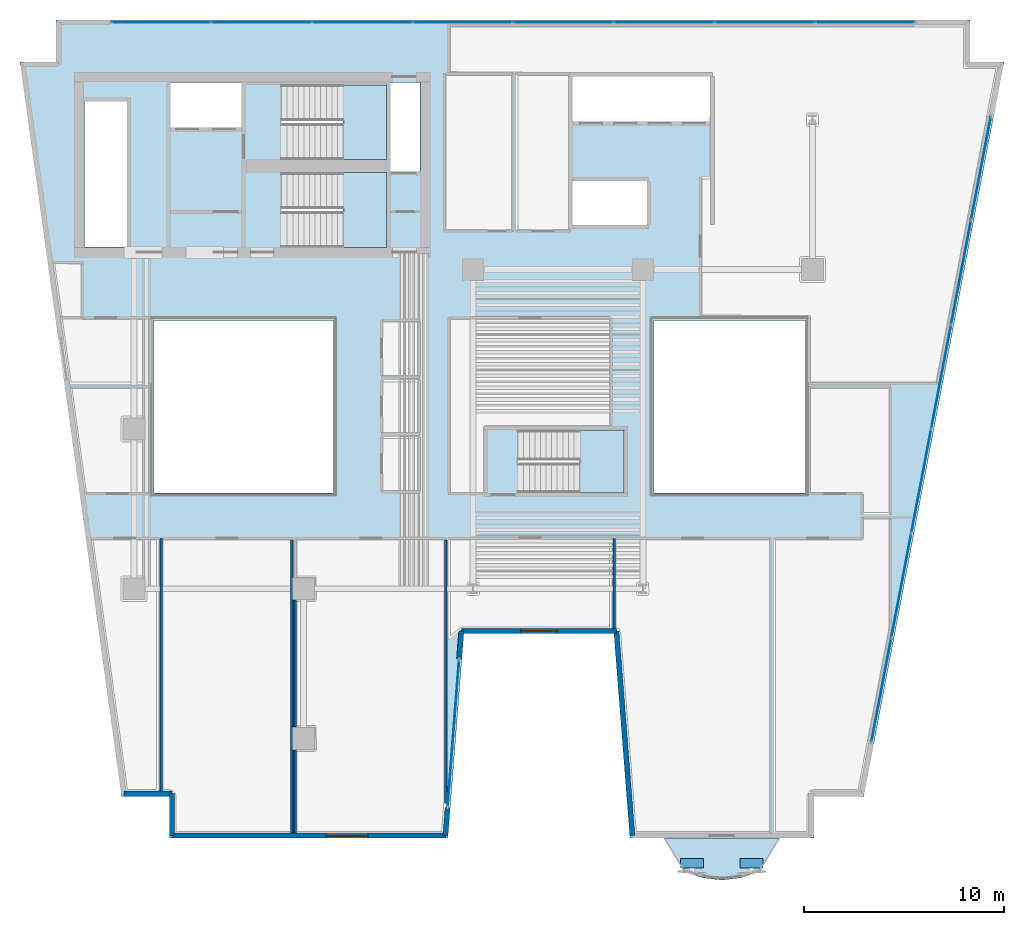
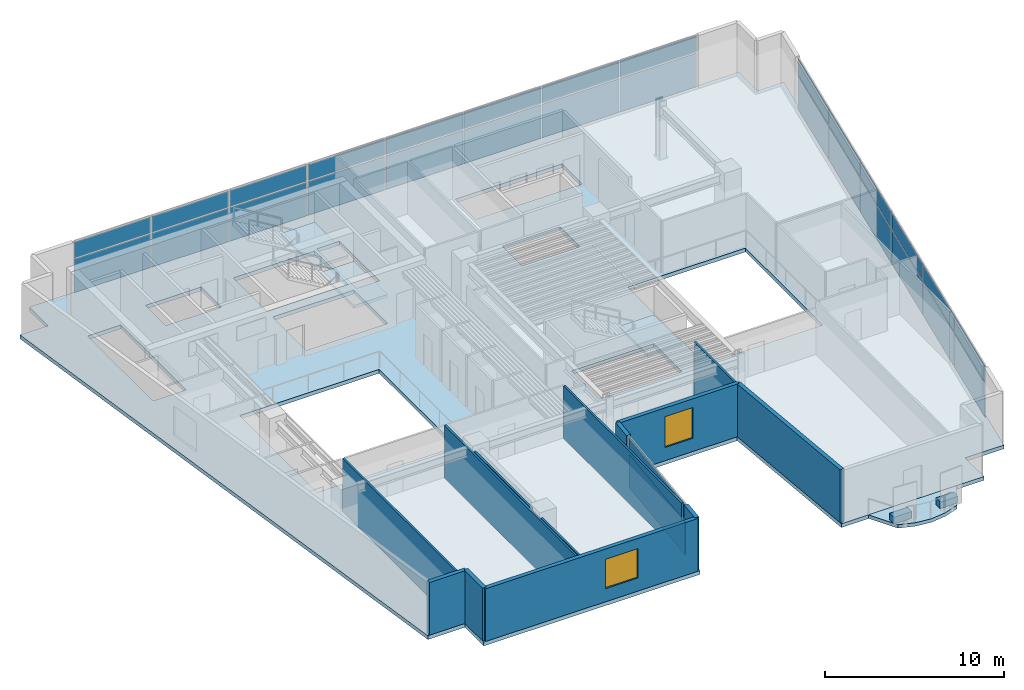
# One storey, part 6 of 14: 32 plates, 13 walls, 5 slabs, 2 windows, 2 openings, 6 elements without a shape of their own.
"""IFC4 building model written with IfcOpenShell, lengths in metres."""

from ifc_helpers import new_model, si_unit, direction, frame, frame_2d, origin, origin_2d, place, context, subcontext, project, spatial, polyline, rectangle, outline, extrude, material, layer, layer_set, type_object, element, fill, aggregate, save


model = new_model("IFC4")

# Units and contexts
model_context = context("Model", 3, precision=1e-05, world=origin(), true_north=direction((0.0, 1.0)))
body_context = subcontext(model_context, "Body", "Model", "MODEL_VIEW")
ifc_project = project(units=[si_unit("LENGTHUNIT", "METRE"), si_unit("AREAUNIT", "SQUARE_METRE"), si_unit("VOLUMEUNIT", "CUBIC_METRE"), si_unit("PLANEANGLEUNIT", "RADIAN"), si_unit("MASSUNIT", "GRAM", prefix="KILO")], contexts=[model_context])

# Site, building, storey
site_placement = place(None, origin())
site = spatial("IfcSite", under=ifc_project, at=site_placement, CompositionType="ELEMENT")
building_placement = place(site_placement, origin())
building = spatial("IfcBuilding", under=site, at=building_placement, Name="Caeloran Harvest Quay", CompositionType="ELEMENT")
storey_placement = place(building_placement, frame((0.0, 0.0, 174.60009765625)))
storey = spatial("IfcBuildingStorey", under=building, at=storey_placement, Name="L41", CompositionType="ELEMENT", Elevation=174.60009765625)

# Slab
ifc_material_1 = material(Name="Concrete C50/60", Category="concrete")
ifc_layer_1 = layer(ifc_material_1, 0.239990234375, Name="Concrete C50/60")
ifc_layer_set_1 = layer_set([ifc_layer_1], Name="Concrete C50/60")
slab_type_1 = type_object("IfcSlabType", Name="BALCONY-BL-240", PredefinedType="FLOOR", material=ifc_layer_set_1)
slab_1_placement = place(storey_placement, frame((0.0, 0.0, -0.239990234375)))
element("IfcSlab", 1, at=slab_1_placement, inside=storey, type_object=slab_type_1, Name="L41 Scalloped Cantilevered Planted Balcony Slab", PredefinedType="FLOOR", context=body_context, shape_type="SweptSolid", body=[
    extrude(outline(polyline([(39.869873046875, 0.839599609375), (38.913818359375, 0.51708984375), (37.95751953125, 0.39892578125), (37.001220703125, 0.51708984375), (36.045166015625, 0.839599609375), (35.100341796875, 2.5), (40.814697265625, 2.5), (39.869873046875, 0.839599609375)])), origin(), (0.0, 0.0, 1.0), 0.239990234375),
])

# Curtain wall, plates
ifc_material_2 = material(Name="Aluminium 6063-T6 and Low-E Glazing", Category="aluminium")
ifc_layer_2 = layer(ifc_material_2, 0.22998046875, Name="Aluminium 6063-T6 and Low-E Glazing")
ifc_layer_set_2 = layer_set([ifc_layer_2], Name="Aluminium 6063-T6 and Low-E Glazing")
curtain_wall_type = type_object("IfcCurtainWallType", Name="CW-SYS-CW-6", PredefinedType="USERDEFINED", material=ifc_layer_set_2)
curtain_wall_1_placement = place(storey_placement, origin())
curtain_wall_1 = element("IfcCurtainWall", 2, at=curtain_wall_1_placement, inside=storey, type_object=curtain_wall_type, Name="L41 Unitised Curtain Wall CW-6 Run 6", ObjectType="CURTAIN_WALL", PredefinedType="USERDEFINED")
ifc_material_3 = material(Name="Low-E Double Glazed Vision Glass Unit", Category="glass")
ifc_layer_3 = layer(ifc_material_3, 0.035888671875, Name="Low-E Double Glazed Vision Glass Unit")
ifc_layer_set_3 = layer_set([ifc_layer_3], Name="Low-E Double Glazed Vision Glass Unit")
plate_type_1 = type_object("IfcPlateType", Name="CW-VISION-PANEL", PredefinedType="CURTAIN_PANEL", material=ifc_layer_set_3)
plate_1_placement = place(storey_placement, frame((9.871337890625, 43.3701171875, 0.080078125), z_axis=(0.0, 0.0, 1.0), x_axis=(1.0, 0.0, 0.0)))
plate_1 = element("IfcPlate", 3, at=plate_1_placement, type_object=plate_type_1, Name="CW-6 panel 1.1", PredefinedType="CURTAIN_PANEL", context=body_context, shape_type="SweptSolid", body=[
    extrude(rectangle(XDim=4.922607421875, YDim=0.035888671875, at=origin_2d()), origin(), (0.0, 0.0, 1.0), 2.280029296875),
])
plate_2_placement = place(storey_placement, frame((9.871337890625, 43.3701171875, 2.43994140625), z_axis=(0.0, 0.0, 1.0), x_axis=(1.0, 0.0, 0.0)))
plate_2 = element("IfcPlate", 4, at=plate_2_placement, type_object=plate_type_1, Name="CW-6 panel 1.2", PredefinedType="CURTAIN_PANEL", context=body_context, shape_type="SweptSolid", body=[
    extrude(rectangle(XDim=4.922607421875, YDim=0.035888671875, at=origin_2d()), origin(), (0.0, 0.0, 1.0), 1.080078125),
])
plate_3_placement = place(storey_placement, frame((14.893798828125, 43.3701171875, 0.080078125), z_axis=(0.0, 0.0, 1.0), x_axis=(1.0, 0.0, 0.0)))
plate_3 = element("IfcPlate", 5, at=plate_3_placement, type_object=plate_type_1, Name="CW-6 panel 2.1", PredefinedType="CURTAIN_PANEL", context=body_context, shape_type="SweptSolid", body=[
    extrude(rectangle(XDim=4.96240234375, YDim=0.035888671875, at=origin_2d()), origin(), (0.0, 0.0, 1.0), 2.280029296875),
])
plate_4_placement = place(storey_placement, frame((14.893798828125, 43.3701171875, 2.43994140625), z_axis=(0.0, 0.0, 1.0), x_axis=(1.0, 0.0, 0.0)))
plate_4 = element("IfcPlate", 6, at=plate_4_placement, type_object=plate_type_1, Name="CW-6 panel 2.2", PredefinedType="CURTAIN_PANEL", context=body_context, shape_type="SweptSolid", body=[
    extrude(rectangle(XDim=4.96240234375, YDim=0.035888671875, at=origin_2d()), origin(), (0.0, 0.0, 1.0), 1.080078125),
])
plate_5_placement = place(storey_placement, frame((19.936279296875, 43.3701171875, 0.080078125), z_axis=(0.0, 0.0, 1.0), x_axis=(1.0, 0.0, 0.0)))
plate_5 = element("IfcPlate", 7, at=plate_5_placement, type_object=plate_type_1, Name="CW-6 panel 3.1", PredefinedType="CURTAIN_PANEL", context=body_context, shape_type="SweptSolid", body=[
    extrude(rectangle(XDim=4.96240234375, YDim=0.035888671875, at=origin_2d()), origin(), (0.0, 0.0, 1.0), 2.280029296875),
])
plate_6_placement = place(storey_placement, frame((19.936279296875, 43.3701171875, 2.43994140625), z_axis=(0.0, 0.0, 1.0), x_axis=(1.0, 0.0, 0.0)))
plate_6 = element("IfcPlate", 8, at=plate_6_placement, type_object=plate_type_1, Name="CW-6 panel 3.2", PredefinedType="CURTAIN_PANEL", context=body_context, shape_type="SweptSolid", body=[
    extrude(rectangle(XDim=4.96240234375, YDim=0.035888671875, at=origin_2d()), origin(), (0.0, 0.0, 1.0), 1.080078125),
])
plate_7_placement = place(storey_placement, frame((24.978759765625, 43.3701171875, 0.080078125), z_axis=(0.0, 0.0, 1.0), x_axis=(1.0, 0.0, 0.0)))
plate_7 = element("IfcPlate", 9, at=plate_7_placement, type_object=plate_type_1, Name="CW-6 panel 4.1", PredefinedType="CURTAIN_PANEL", context=body_context, shape_type="SweptSolid", body=[
    extrude(rectangle(XDim=4.96240234375, YDim=0.035888671875, at=origin_2d()), origin(), (0.0, 0.0, 1.0), 2.280029296875),
])
plate_8_placement = place(storey_placement, frame((24.978759765625, 43.3701171875, 2.43994140625), z_axis=(0.0, 0.0, 1.0), x_axis=(1.0, 0.0, 0.0)))
plate_8 = element("IfcPlate", 10, at=plate_8_placement, type_object=plate_type_1, Name="CW-6 panel 4.2", PredefinedType="CURTAIN_PANEL", context=body_context, shape_type="SweptSolid", body=[
    extrude(rectangle(XDim=4.96240234375, YDim=0.035888671875, at=origin_2d()), origin(), (0.0, 0.0, 1.0), 1.080078125),
])
plate_9_placement = place(storey_placement, frame((30.021240234375, 43.3701171875, 0.080078125), z_axis=(0.0, 0.0, 1.0), x_axis=(1.0, 0.0, 0.0)))
plate_9 = element("IfcPlate", 11, at=plate_9_placement, type_object=plate_type_1, Name="CW-6 panel 5.1", PredefinedType="CURTAIN_PANEL", context=body_context, shape_type="SweptSolid", body=[
    extrude(rectangle(XDim=4.96240234375, YDim=0.035888671875, at=origin_2d()), origin(), (0.0, 0.0, 1.0), 2.280029296875),
])
plate_10_placement = place(storey_placement, frame((30.021240234375, 43.3701171875, 2.43994140625), z_axis=(0.0, 0.0, 1.0), x_axis=(1.0, 0.0, 0.0)))
plate_10 = element("IfcPlate", 12, at=plate_10_placement, type_object=plate_type_1, Name="CW-6 panel 5.2", PredefinedType="CURTAIN_PANEL", context=body_context, shape_type="SweptSolid", body=[
    extrude(rectangle(XDim=4.96240234375, YDim=0.035888671875, at=origin_2d()), origin(), (0.0, 0.0, 1.0), 1.080078125),
])
plate_11_placement = place(storey_placement, frame((35.063720703125, 43.3701171875, 0.080078125), z_axis=(0.0, 0.0, 1.0), x_axis=(1.0, 0.0, 0.0)))
plate_11 = element("IfcPlate", 13, at=plate_11_placement, type_object=plate_type_1, Name="CW-6 panel 6.1", PredefinedType="CURTAIN_PANEL", context=body_context, shape_type="SweptSolid", body=[
    extrude(rectangle(XDim=4.96240234375, YDim=0.035888671875, at=origin_2d()), origin(), (0.0, 0.0, 1.0), 2.280029296875),
])
plate_12_placement = place(storey_placement, frame((35.063720703125, 43.3701171875, 2.43994140625), z_axis=(0.0, 0.0, 1.0), x_axis=(1.0, 0.0, 0.0)))
plate_12 = element("IfcPlate", 14, at=plate_12_placement, type_object=plate_type_1, Name="CW-6 panel 6.2", PredefinedType="CURTAIN_PANEL", context=body_context, shape_type="SweptSolid", body=[
    extrude(rectangle(XDim=4.96240234375, YDim=0.035888671875, at=origin_2d()), origin(), (0.0, 0.0, 1.0), 1.080078125),
])
plate_13_placement = place(storey_placement, frame((40.106201171875, 43.3701171875, 0.080078125), z_axis=(0.0, 0.0, 1.0), x_axis=(1.0, 0.0, 0.0)))
plate_13 = element("IfcPlate", 15, at=plate_13_placement, type_object=plate_type_1, Name="CW-6 panel 7.1", PredefinedType="CURTAIN_PANEL", context=body_context, shape_type="SweptSolid", body=[
    extrude(rectangle(XDim=4.96240234375, YDim=0.035888671875, at=origin_2d()), origin(), (0.0, 0.0, 1.0), 2.280029296875),
])
plate_14_placement = place(storey_placement, frame((40.106201171875, 43.3701171875, 2.43994140625), z_axis=(0.0, 0.0, 1.0), x_axis=(1.0, 0.0, 0.0)))
plate_14 = element("IfcPlate", 16, at=plate_14_placement, type_object=plate_type_1, Name="CW-6 panel 7.2", PredefinedType="CURTAIN_PANEL", context=body_context, shape_type="SweptSolid", body=[
    extrude(rectangle(XDim=4.96240234375, YDim=0.035888671875, at=origin_2d()), origin(), (0.0, 0.0, 1.0), 1.080078125),
])
plate_15_placement = place(storey_placement, frame((45.128662109375, 43.3701171875, 0.080078125), z_axis=(0.0, 0.0, 1.0), x_axis=(1.0, 0.0, 0.0)))
plate_15 = element("IfcPlate", 17, at=plate_15_placement, type_object=plate_type_1, Name="CW-6 panel 8.1", PredefinedType="CURTAIN_PANEL", context=body_context, shape_type="SweptSolid", body=[
    extrude(rectangle(XDim=4.922607421875, YDim=0.035888671875, at=origin_2d()), origin(), (0.0, 0.0, 1.0), 2.280029296875),
])
plate_16_placement = place(storey_placement, frame((45.128662109375, 43.3701171875, 2.43994140625), z_axis=(0.0, 0.0, 1.0), x_axis=(1.0, 0.0, 0.0)))
plate_16 = element("IfcPlate", 18, at=plate_16_placement, type_object=plate_type_1, Name="CW-6 panel 8.2", PredefinedType="CURTAIN_PANEL", context=body_context, shape_type="SweptSolid", body=[
    extrude(rectangle(XDim=4.922607421875, YDim=0.035888671875, at=origin_2d()), origin(), (0.0, 0.0, 1.0), 1.080078125),
])
aggregate(curtain_wall_1, [plate_1, plate_2, plate_3, plate_4, plate_5, plate_6, plate_7, plate_8, plate_9, plate_10, plate_11, plate_12, plate_13, plate_14, plate_15, plate_16])

curtain_wall_2_placement = place(storey_placement, origin())
curtain_wall_2 = element("IfcCurtainWall", 19, at=curtain_wall_2_placement, inside=storey, type_object=curtain_wall_type, Name="L41 Unitised Curtain Wall CW-6 Run 9", ObjectType="CURTAIN_WALL", PredefinedType="USERDEFINED")
plate_17_placement = place(storey_placement, frame((50.9501953125, 36.0771484375, 0.080078125), z_axis=(0.0, 0.0, 1.0), x_axis=(-0.187587824188, -0.982247834417, 0.0)))
plate_17 = element("IfcPlate", 20, at=plate_17_placement, type_object=plate_type_1, Name="CW-6 panel 1.1", PredefinedType="CURTAIN_PANEL", context=body_context, shape_type="SweptSolid", body=[
    extrude(rectangle(XDim=5.21337890625, YDim=0.035888671875, at=origin_2d()), origin(), (0.0, 0.0, 1.0), 2.280029296875),
])
plate_18_placement = place(storey_placement, frame((50.9501953125, 36.0771484375, 2.43994140625), z_axis=(0.0, 0.0, 1.0), x_axis=(-0.187587824188, -0.982247834417, 0.0)))
plate_18 = element("IfcPlate", 21, at=plate_18_placement, type_object=plate_type_1, Name="CW-6 panel 1.2", PredefinedType="CURTAIN_PANEL", context=body_context, shape_type="SweptSolid", body=[
    extrude(rectangle(XDim=5.21337890625, YDim=0.035888671875, at=origin_2d()), origin(), (0.0, 0.0, 1.0), 1.080078125),
])
plate_19_placement = place(storey_placement, frame((49.953369140625, 30.858154296875, 0.080078125), z_axis=(0.0, 0.0, 1.0), x_axis=(-0.187587824188, -0.982247834417, 0.0)))
plate_19 = element("IfcPlate", 22, at=plate_19_placement, type_object=plate_type_1, Name="CW-6 panel 2.1", PredefinedType="CURTAIN_PANEL", context=body_context, shape_type="SweptSolid", body=[
    extrude(rectangle(XDim=5.25341796875, YDim=0.035888671875, at=origin_2d()), origin(), (0.0, 0.0, 1.0), 2.280029296875),
])
plate_20_placement = place(storey_placement, frame((49.953369140625, 30.858154296875, 2.43994140625), z_axis=(0.0, 0.0, 1.0), x_axis=(-0.187587824188, -0.982247834417, 0.0)))
plate_20 = element("IfcPlate", 23, at=plate_20_placement, type_object=plate_type_1, Name="CW-6 panel 2.2", PredefinedType="CURTAIN_PANEL", context=body_context, shape_type="SweptSolid", body=[
    extrude(rectangle(XDim=5.25341796875, YDim=0.035888671875, at=origin_2d()), origin(), (0.0, 0.0, 1.0), 1.080078125),
])
plate_21_placement = place(storey_placement, frame((48.952880859375, 25.619384765625, 0.080078125), z_axis=(0.0, 0.0, 1.0), x_axis=(-0.187587824188, -0.982247834417, 0.0)))
plate_21 = element("IfcPlate", 24, at=plate_21_placement, type_object=plate_type_1, Name="CW-6 panel 3.1", PredefinedType="CURTAIN_PANEL", context=body_context, shape_type="SweptSolid", body=[
    extrude(rectangle(XDim=5.25341796875, YDim=0.035888671875, at=origin_2d()), origin(), (0.0, 0.0, 1.0), 2.280029296875),
])
plate_22_placement = place(storey_placement, frame((48.952880859375, 25.619384765625, 2.43994140625), z_axis=(0.0, 0.0, 1.0), x_axis=(-0.187587824188, -0.982247834417, 0.0)))
plate_22 = element("IfcPlate", 25, at=plate_22_placement, type_object=plate_type_1, Name="CW-6 panel 3.2", PredefinedType="CURTAIN_PANEL", context=body_context, shape_type="SweptSolid", body=[
    extrude(rectangle(XDim=5.25341796875, YDim=0.035888671875, at=origin_2d()), origin(), (0.0, 0.0, 1.0), 1.080078125),
])
plate_23_placement = place(storey_placement, frame((47.952392578125, 20.380615234375, 0.080078125), z_axis=(0.0, 0.0, 1.0), x_axis=(-0.187587824188, -0.982247834417, 0.0)))
plate_23 = element("IfcPlate", 26, at=plate_23_placement, type_object=plate_type_1, Name="CW-6 panel 4.1", PredefinedType="CURTAIN_PANEL", context=body_context, shape_type="SweptSolid", body=[
    extrude(rectangle(XDim=5.25341796875, YDim=0.035888671875, at=origin_2d()), origin(), (0.0, 0.0, 1.0), 2.280029296875),
])
plate_24_placement = place(storey_placement, frame((47.952392578125, 20.380615234375, 2.43994140625), z_axis=(0.0, 0.0, 1.0), x_axis=(-0.187587824188, -0.982247834417, 0.0)))
plate_24 = element("IfcPlate", 27, at=plate_24_placement, type_object=plate_type_1, Name="CW-6 panel 4.2", PredefinedType="CURTAIN_PANEL", context=body_context, shape_type="SweptSolid", body=[
    extrude(rectangle(XDim=5.25341796875, YDim=0.035888671875, at=origin_2d()), origin(), (0.0, 0.0, 1.0), 1.080078125),
])
plate_25_placement = place(storey_placement, frame((46.951904296875, 15.141845703125, 0.080078125), z_axis=(0.0, 0.0, 1.0), x_axis=(-0.187587824188, -0.982247834417, 0.0)))
plate_25 = element("IfcPlate", 28, at=plate_25_placement, type_object=plate_type_1, Name="CW-6 panel 5.1", PredefinedType="CURTAIN_PANEL", context=body_context, shape_type="SweptSolid", body=[
    extrude(rectangle(XDim=5.25341796875, YDim=0.035888671875, at=origin_2d()), origin(), (0.0, 0.0, 1.0), 2.280029296875),
])
plate_26_placement = place(storey_placement, frame((46.951904296875, 15.141845703125, 2.43994140625), z_axis=(0.0, 0.0, 1.0), x_axis=(-0.187587824188, -0.982247834417, 0.0)))
plate_26 = element("IfcPlate", 29, at=plate_26_placement, type_object=plate_type_1, Name="CW-6 panel 5.2", PredefinedType="CURTAIN_PANEL", context=body_context, shape_type="SweptSolid", body=[
    extrude(rectangle(XDim=5.25341796875, YDim=0.035888671875, at=origin_2d()), origin(), (0.0, 0.0, 1.0), 1.080078125),
])
plate_27_placement = place(storey_placement, frame((45.955078125, 9.9228515625, 0.080078125), z_axis=(0.0, 0.0, 1.0), x_axis=(-0.187587824188, -0.982247834417, 0.0)))
plate_27 = element("IfcPlate", 30, at=plate_27_placement, type_object=plate_type_1, Name="CW-6 panel 6.1", PredefinedType="CURTAIN_PANEL", context=body_context, shape_type="SweptSolid", body=[
    extrude(rectangle(XDim=5.21337890625, YDim=0.035888671875, at=origin_2d()), origin(), (0.0, 0.0, 1.0), 2.280029296875),
])
plate_28_placement = place(storey_placement, frame((45.955078125, 9.9228515625, 2.43994140625), z_axis=(0.0, 0.0, 1.0), x_axis=(-0.187587824188, -0.982247834417, 0.0)))
plate_28 = element("IfcPlate", 31, at=plate_28_placement, type_object=plate_type_1, Name="CW-6 panel 6.2", PredefinedType="CURTAIN_PANEL", context=body_context, shape_type="SweptSolid", body=[
    extrude(rectangle(XDim=5.21337890625, YDim=0.035888671875, at=origin_2d()), origin(), (0.0, 0.0, 1.0), 1.080078125),
])
aggregate(curtain_wall_2, [plate_17, plate_18, plate_19, plate_20, plate_21, plate_22, plate_23, plate_24, plate_25, plate_26, plate_27, plate_28])

curtain_wall_3_placement = place(storey_placement, origin())
curtain_wall_3 = element("IfcCurtainWall", 32, at=curtain_wall_3_placement, inside=storey, type_object=curtain_wall_type, Name="L41 Unitised Curtain Wall CW-6 Run 15", ObjectType="CURTAIN_WALL", PredefinedType="USERDEFINED")
plate_29_placement = place(storey_placement, frame((24.509765625, 7.7548828125, 0.080078125), z_axis=(0.0, 0.0, 1.0), x_axis=(-0.077821861046, -0.996967280277, 0.0)))
plate_29 = element("IfcPlate", 33, at=plate_29_placement, type_object=plate_type_1, Name="CW-6 panel 1.1", PredefinedType="CURTAIN_PANEL", context=body_context, shape_type="SweptSolid", body=[
    extrude(rectangle(XDim=7.3212890625, YDim=0.035888671875, at=origin_2d()), origin(), (0.0, 0.0, 1.0), 2.280029296875),
])
plate_30_placement = place(storey_placement, frame((24.509765625, 7.7548828125, 2.43994140625), z_axis=(0.0, 0.0, 1.0), x_axis=(-0.077821861046, -0.996967280277, 0.0)))
plate_30 = element("IfcPlate", 34, at=plate_30_placement, type_object=plate_type_1, Name="CW-6 panel 1.2", PredefinedType="CURTAIN_PANEL", context=body_context, shape_type="SweptSolid", body=[
    extrude(rectangle(XDim=7.3212890625, YDim=0.035888671875, at=origin_2d()), origin(), (0.0, 0.0, 1.0), 1.080078125),
])
aggregate(curtain_wall_3, [plate_29, plate_30])

# Plates
ifc_material_4 = material(Name="Precast concrete C50/60", Category="concrete")
ifc_layer_4 = layer(ifc_material_4, 0.449951171875, Name="Precast concrete C50/60")
ifc_layer_set_4 = layer_set([ifc_layer_4], Name="Precast concrete C50/60")
plate_type_2 = type_object("IfcPlateType", Name="PLANTER-TROUGH-450", PredefinedType="USERDEFINED", material=ifc_layer_set_4)
for number, where, z_axis, x_axis, name in (
    (35, (39.44921875, 1.246826171875, 0.0), (0.0, 0.0, 1.0), (1.0, 0.0, 0.0), "L41 Balcony Vertical-Greenery Precast PLANTER Trough 1"),
    (36, (36.4658203125, 1.246826171875, 0.0), (0.0, 0.0, 1.0), (1.0, 0.0, 0.0), "L41 Balcony Vertical-Greenery Precast PLANTER Trough 2"),
):
    element("IfcPlate", number, at=place(storey_placement, frame(where, z_axis=z_axis, x_axis=x_axis)), inside=storey, type_object=plate_type_2, Name=name, ObjectType="PLANTER", PredefinedType="USERDEFINED", context=body_context, shape_type="SweptSolid", body=[
        extrude(rectangle(XDim=1.14990234375, YDim=0.47998046875, at=origin_2d()), origin(), (0.0, 0.0, 1.0), 0.449951171875),
    ])

# Slab
ifc_layer_5 = layer(ifc_material_1, 0.260009765625, Name="Concrete C50/60")
ifc_layer_set_5 = layer_set([ifc_layer_5], Name="Concrete C50/60")
slab_type_2 = type_object("IfcSlabType", Name="SLAB-FS-260", PredefinedType="FLOOR", material=ifc_layer_set_5)
slab_2_placement = place(storey_placement, frame((0.0, 0.0, -0.260009765625)))
element("IfcSlab", 37, at=slab_2_placement, inside=storey, type_object=slab_type_2, Name="L41 Structural Floor Slab", PredefinedType="FLOOR", context=body_context, shape_type="SweptSolid", body=[
    extrude(outline(polyline([(10.27001953125, 2.5), (24.22998046875, 2.5), (25.030029296875, 12.75), (32.554931640625, 12.75), (33.35498046875, 2.5), (42.570068359375, 2.5), (42.570068359375, 4.60009765625), (45.071044921875, 4.60009765625), (52.09912109375, 41.39990234375), (50.39990234375, 41.39990234375), (50.39990234375, 43.5), (4.60009765625, 43.5), (4.60009765625, 41.39990234375), (2.790283203125, 41.39990234375), (7.879638671875, 4.60009765625), (10.27001953125, 4.60009765625), (10.27001953125, 2.5)]), holes=[polyline([(27.75, 19.800048828125), (27.75, 22.949951171875), (33.050048828125, 22.949951171875), (33.050048828125, 19.800048828125), (27.75, 19.800048828125)]), polyline([(18.5, 19.800048828125), (9.5, 19.800048828125), (9.5, 28.449951171875), (18.5, 28.449951171875), (18.5, 19.800048828125)]), polyline([(42.14990234375, 19.800048828125), (34.550048828125, 19.800048828125), (34.550048828125, 28.449951171875), (42.14990234375, 28.449951171875), (42.14990234375, 19.800048828125)]), polyline([(15.89990234375, 35.85009765625), (21.14990234375, 35.85009765625), (21.14990234375, 32.10009765625), (15.89990234375, 32.10009765625), (15.89990234375, 35.85009765625)]), polyline([(30.47998046875, 33.219970703125), (30.47998046875, 35.429931640625), (34.199951171875, 35.429931640625), (34.199951171875, 33.219970703125), (30.47998046875, 33.219970703125)]), polyline([(8.159912109375, 32.1201171875), (6.02001953125, 32.1201171875), (6.02001953125, 39.419921875), (8.159912109375, 39.419921875), (8.159912109375, 32.1201171875)]), polyline([(22.830078125, 35.919921875), (21.35009765625, 35.919921875), (21.35009765625, 40.3798828125), (22.830078125, 40.3798828125), (22.830078125, 35.919921875)]), polyline([(15.89990234375, 36.5), (15.89990234375, 40.25), (21.14990234375, 40.25), (21.14990234375, 36.5), (15.89990234375, 36.5)]), polyline([(10.320068359375, 38.1201171875), (10.320068359375, 40.3798828125), (13.89990234375, 40.3798828125), (13.89990234375, 38.1201171875), (10.320068359375, 38.1201171875)]), polyline([(30.47998046875, 38.419921875), (30.47998046875, 40.679931640625), (37.3798828125, 40.679931640625), (37.3798828125, 38.419921875), (30.47998046875, 38.419921875)])]), origin(), (0.0, 0.0, 1.0), 0.260009765625),
])

# Stair, slab
stair_type_1 = type_object("IfcStairType", Name="STAIR-STC-180", PredefinedType="HALF_TURN_STAIR", material=ifc_material_1)
stair_1_placement = place(storey_placement, origin())
stair_1 = element("IfcStair", 38, at=stair_1_placement, inside=storey, type_object=stair_type_1, Name="L41 Core Pressurized Exit Stair ST-C1", PredefinedType="HALF_TURN_STAIR")
ifc_layer_6 = layer(ifc_material_1, 0.219970703125, Name="Concrete C50/60")
ifc_layer_set_6 = layer_set([ifc_layer_6], Name="Concrete C50/60")
slab_type_3 = type_object("IfcSlabType", Name="STAIR-LANDING-220", PredefinedType="LANDING", material=ifc_layer_set_6)
slab_3_placement = place(storey_placement, frame((0.0, 0.0, 1.77490234375)))
slab_3 = element("IfcSlab", 39, at=slab_3_placement, type_object=slab_type_3, Name="ST-C1 landing 1", PredefinedType="LANDING", context=body_context, shape_type="SweptSolid", body=[
    extrude(outline(polyline([(18.97998046875, 36.5), (21.14990234375, 36.5), (21.14990234375, 40.25), (18.97998046875, 40.25), (18.97998046875, 36.5)])), origin(), (0.0, 0.0, 1.0), 0.199951171875),
])
aggregate(stair_1, [slab_3])

stair_2_placement = place(storey_placement, origin())
stair_2 = element("IfcStair", 40, at=stair_2_placement, inside=storey, type_object=stair_type_1, Name="L41 Core Pressurized Exit Stair ST-C2", PredefinedType="HALF_TURN_STAIR")
slab_4_placement = place(storey_placement, frame((0.0, 0.0, 1.77490234375)))
slab_4 = element("IfcSlab", 41, at=slab_4_placement, type_object=slab_type_3, Name="ST-C2 landing 1", PredefinedType="LANDING", context=body_context, shape_type="SweptSolid", body=[
    extrude(outline(polyline([(18.97998046875, 32.10009765625), (21.14990234375, 32.10009765625), (21.14990234375, 35.85009765625), (18.97998046875, 35.85009765625), (18.97998046875, 32.10009765625)])), origin(), (0.0, 0.0, 1.0), 0.199951171875),
])
aggregate(stair_2, [slab_4])

stair_type_2 = type_object("IfcStairType", Name="STAIR-STW-150", PredefinedType="HALF_TURN_STAIR", material=ifc_material_1)
stair_3_placement = place(storey_placement, origin())
stair_3 = element("IfcStair", 42, at=stair_3_placement, inside=storey, type_object=stair_type_2, Name="L41 East Wing Protected Exit Stair ST-W1", PredefinedType="HALF_TURN_STAIR")
slab_5_placement = place(storey_placement, frame((0.0, 0.0, 1.77490234375)))
slab_5 = element("IfcSlab", 43, at=slab_5_placement, type_object=slab_type_3, Name="ST-W1 landing 1", PredefinedType="LANDING", context=body_context, shape_type="SweptSolid", body=[
    extrude(outline(polyline([(30.830078125, 19.800048828125), (33.050048828125, 19.800048828125), (33.050048828125, 22.949951171875), (30.830078125, 22.949951171875), (30.830078125, 19.800048828125)])), origin(), (0.0, 0.0, 1.0), 0.199951171875),
])
aggregate(stair_3, [slab_5])

# Walls
ifc_layer_7 = layer(ifc_material_4, 0.260009765625, Name="Precast concrete C50/60")
ifc_layer_set_7 = layer_set([ifc_layer_7], Name="Precast concrete C50/60")
wall_type_1 = type_object("IfcWallType", Name="ENV-WALL-EW-260", PredefinedType="STANDARD", material=ifc_layer_set_7)
wall_1_placement = place(storey_placement, frame((10.39990234375, 2.6298828125, 0.0), z_axis=(0.0, 0.0, 1.0), x_axis=(0.0, 1.0, 0.0)))
element("IfcWall", 44, at=wall_1_placement, inside=storey, type_object=wall_type_1, Name="L41 Exterior Precast Concrete Facade Wall 1", PredefinedType="STANDARD", context=body_context, shape_type="SweptSolid", body=[
    extrude(rectangle(XDim=2.10009765625, YDim=0.260009765625, at=frame_2d((1.050048828125, 0.0))), origin(), (0.0, 0.0, 1.0), 3.599853515625),
])
wall_2_placement = place(storey_placement, frame((10.39990234375, 4.72998046875, 0.0), z_axis=(0.0, 0.0, 1.0), x_axis=(-1.0, 0.0, 0.0)))
element("IfcWall", 45, at=wall_2_placement, inside=storey, type_object=wall_type_1, Name="L41 Exterior Precast Concrete Facade Wall 2", PredefinedType="STANDARD", context=body_context, shape_type="SweptSolid", body=[
    extrude(rectangle(XDim=2.406982421875, YDim=0.260009765625, at=frame_2d((1.20361328125, 0.0))), origin(), (0.0, 0.0, 1.0), 3.599853515625),
])
wall_3_placement = place(storey_placement, frame((33.47509765625, 2.6298828125, 0.0), z_axis=(0.0, 0.0, 1.0), x_axis=(-0.077793257511, 0.996969512616, 0.0)))
element("IfcWall", 46, at=wall_3_placement, inside=storey, type_object=wall_type_1, Name="L41 Exterior Precast Concrete Facade Wall 13", PredefinedType="STANDARD", context=body_context, shape_type="SweptSolid", body=[
    extrude(rectangle(XDim=10.28125, YDim=0.260009765625, at=frame_2d((5.140625, 0.0))), origin(), (0.0, 0.0, 1.0), 3.599853515625),
])

# Wall, opening, window
wall_4_placement = place(storey_placement, frame((32.67529296875, 12.8798828125, 0.0), z_axis=(0.0, 0.0, 1.0), x_axis=(-1.0, 0.0, 0.0)))
wall_4 = element("IfcWall", 47, at=wall_4_placement, inside=storey, type_object=wall_type_1, Name="L41 Exterior Precast Concrete Facade Wall 14", PredefinedType="STANDARD", context=body_context, shape_type="SweptSolid", body=[
    extrude(rectangle(XDim=7.765380859375, YDim=0.260009765625, at=frame_2d((3.8828125, 0.0))), origin(), (0.0, 0.0, 1.0), 3.599853515625),
])
opening_1_placement = place(wall_4_placement, frame((2.98291015625, 0.0, 0.89990234375)))
opening_1 = element("IfcOpeningElement", 48, at=opening_1_placement, cuts=wall_4, Name="Opening W-01", PredefinedType="OPENING", context=body_context, shape_type="SweptSolid", body=[
    extrude(rectangle(XDim=1.800048828125, YDim=2.10009765625, at=frame_2d((0.89990234375, 1.050048828125))), frame((0.0, 0.14013671875, 0.0), z_axis=(0.0, -1.0, 0.0), x_axis=(1.0, 0.0, 0.0)), (0.0, 0.0, 1.0), 0.280029296875),
])
ifc_material_5 = material(Name="Aluminium-Framed Low-E Laminated Glass", Category="aluminium")
window_type_1 = type_object("IfcWindowType", Name="WIN-W-01", PartitioningType="SINGLE_PANEL", PredefinedType="WINDOW", material=ifc_material_5)
window_1_placement = place(opening_1_placement, origin())
window_1 = element("IfcWindow", 49, at=window_1_placement, inside=storey, type_object=window_type_1, Name="L41 Facade Punched Window W-01", OverallHeight=2.10009765625, OverallWidth=1.800048828125, PartitioningType="SINGLE_PANEL", PredefinedType="WINDOW", context=body_context, shape_type="SweptSolid", body=[
    extrude(rectangle(XDim=1.800048828125, YDim=2.10009765625, at=frame_2d((0.89990234375, 1.050048828125))), frame((0.0, 0.030029296875, 0.0), z_axis=(0.0, -1.0, 0.0), x_axis=(1.0, 0.0, 0.0)), (0.0, 0.0, 1.0), 0.06005859375),
])
fill(opening_1, window_1)

# Walls
for number, where, z_axis, x_axis, name in (
    (50, (24.909912109375, 12.8798828125, 0.0), (0.0, 0.0, 1.0), (-0.077949956455, -0.996957273051, 0.0), "L41 Exterior Facade Corner Pier Wall 15A"),
    (51, (24.21875, 4.025634765625, 0.0), (0.0, 0.0, 1.0), (-0.077776627829, -0.996970810086, 0.0), "L41 Exterior Facade Corner Pier Wall 15B"),
):
    element("IfcWall", number, at=place(storey_placement, frame(where, z_axis=z_axis, x_axis=x_axis)), inside=storey, type_object=wall_type_1, Name=name, PredefinedType="STANDARD", context=body_context, shape_type="SweptSolid", body=[
        extrude(rectangle(XDim=1.39990234375, YDim=0.260009765625, at=frame_2d((0.699951171875, 0.0))), origin(), (0.0, 0.0, 1.0), 3.599853515625),
    ])

# Wall, opening, window
wall_5_placement = place(storey_placement, frame((24.10986328125, 2.6298828125, 0.0), z_axis=(0.0, 0.0, 1.0), x_axis=(-1.0, 0.0, 0.0)))
wall_5 = element("IfcWall", 52, at=wall_5_placement, inside=storey, type_object=wall_type_1, Name="L41 Exterior Precast Concrete Facade Wall 16", PredefinedType="STANDARD", context=body_context, shape_type="SweptSolid", body=[
    extrude(rectangle(XDim=13.7099609375, YDim=0.260009765625, at=frame_2d((6.85498046875, 0.0))), origin(), (0.0, 0.0, 1.0), 3.599853515625),
])
opening_2_placement = place(wall_5_placement, frame((3.885986328125, 0.0, 0.89990234375)))
opening_2 = element("IfcOpeningElement", 53, at=opening_2_placement, cuts=wall_5, Name="Opening W-06", PredefinedType="OPENING", context=body_context, shape_type="SweptSolid", body=[
    extrude(rectangle(XDim=2.10009765625, YDim=2.0, at=frame_2d((1.050048828125, 1.0))), frame((0.0, 0.14013671875, 0.0), z_axis=(0.0, -1.0, 0.0), x_axis=(1.0, 0.0, 0.0)), (0.0, 0.0, 1.0), 0.280029296875),
])
window_type_2 = type_object("IfcWindowType", Name="WIN-W-06", PartitioningType="DOUBLE_PANEL_VERTICAL", PredefinedType="WINDOW", material=ifc_material_5)
window_2_placement = place(opening_2_placement, origin())
window_2 = element("IfcWindow", 54, at=window_2_placement, inside=storey, type_object=window_type_2, Name="L41 Facade Punched Window W-06", OverallHeight=2.0, OverallWidth=2.10009765625, PartitioningType="DOUBLE_PANEL_VERTICAL", PredefinedType="WINDOW", context=body_context, shape_type="SweptSolid", body=[
    extrude(rectangle(XDim=2.10009765625, YDim=2.0, at=frame_2d((1.050048828125, 1.0))), frame((0.0, 0.030029296875, 0.0), z_axis=(0.0, -1.0, 0.0), x_axis=(1.0, 0.0, 0.0)), (0.0, 0.0, 1.0), 0.06005859375),
])
fill(opening_2, window_2)

# Walls
ifc_material_6 = material(Name="Twin-Stud Mineral-Wool Acoustic Gypsum Partition", Category="gypsum")
ifc_layer_8 = layer(ifc_material_6, 0.125, Name="Twin-Stud Mineral-Wool Acoustic Gypsum Partition")
ifc_layer_set_8 = layer_set([ifc_layer_8], Name="Twin-Stud Mineral-Wool Acoustic Gypsum Partition")
wall_type_2 = type_object("IfcWallType", Name="INT-WALL-PW-125", PredefinedType="PARTITIONING", material=ifc_layer_set_8)
wall_6_placement = place(storey_placement, frame((16.580078125, 2.764892578125, 0.0), z_axis=(0.0, 0.0, 1.0), x_axis=(0.0, 1.0, 0.0)))
element("IfcWall", 55, at=wall_6_placement, inside=storey, type_object=wall_type_2, Name="Agri-Design Innovation Studio Partition Wall", PredefinedType="PARTITIONING", context=body_context, shape_type="SweptSolid", body=[
    extrude(rectangle(XDim=4.16015625, YDim=0.125, at=frame_2d((2.080078125, 0.0))), origin(), (0.0, 0.0, 1.0), 3.599853515625),
])
wall_7_placement = place(storey_placement, frame((16.580078125, 8.074951171875, 0.0), z_axis=(0.0, 0.0, 1.0), x_axis=(0.0, 1.0, 0.0)))
element("IfcWall", 56, at=wall_7_placement, inside=storey, type_object=wall_type_2, Name="Agri-Design Innovation Studio Partition Wall", PredefinedType="PARTITIONING", context=body_context, shape_type="SweptSolid", body=[
    extrude(rectangle(XDim=6.35009765625, YDim=0.125, at=frame_2d((3.175048828125, 0.0))), origin(), (0.0, 0.0, 1.0), 3.599853515625),
])
wall_8_placement = place(storey_placement, frame((24.1201171875, 17.452392578125, 0.0), z_axis=(0.0, 0.0, 1.0), x_axis=(0.0, -1.0, 0.0)))
element("IfcWall", 57, at=wall_8_placement, inside=storey, type_object=wall_type_2, Name="Agri-Design Innovation Studio Partition Wall", PredefinedType="PARTITIONING", context=body_context, shape_type="SweptSolid", body=[
    extrude(rectangle(XDim=13.200439453125, YDim=0.125, at=frame_2d((6.60009765625, 0.0))), origin(), (0.0, 0.0, 1.0), 3.599853515625),
])
wall_9_placement = place(storey_placement, frame((9.8798828125, 4.864990234375, 0.0), z_axis=(0.0, 0.0, 1.0), x_axis=(0.0, 1.0, 0.0)))
element("IfcWall", 58, at=wall_9_placement, inside=storey, type_object=wall_type_2, Name="Hospitality Tasting Dining Kitchen Partition Wall", PredefinedType="PARTITIONING", context=body_context, shape_type="SweptSolid", body=[
    extrude(rectangle(XDim=12.655029296875, YDim=0.125, at=frame_2d((6.32763671875, 0.0))), origin(), (0.0, 0.0, 1.0), 3.599853515625),
])
wall_10_placement = place(storey_placement, frame((16.419921875, 17.452392578125, 0.0), z_axis=(0.0, 0.0, 1.0), x_axis=(0.0, -1.0, 0.0)))
element("IfcWall", 59, at=wall_10_placement, inside=storey, type_object=wall_type_2, Name="Hospitality Tasting Dining Kitchen Partition Wall", PredefinedType="PARTITIONING", context=body_context, shape_type="SweptSolid", body=[
    extrude(rectangle(XDim=14.6875, YDim=0.125, at=frame_2d((7.34375, 0.0))), origin(), (0.0, 0.0, 1.0), 3.599853515625),
])
wall_11_placement = place(storey_placement, frame((32.580078125, 13.014892578125, 0.0), z_axis=(0.0, 0.0, 1.0), x_axis=(0.0, 1.0, 0.0)))
element("IfcWall", 60, at=wall_11_placement, inside=storey, type_object=wall_type_2, Name="Culinary Product Studio Partition Wall", PredefinedType="PARTITIONING", context=body_context, shape_type="SweptSolid", body=[
    extrude(rectangle(XDim=4.505126953125, YDim=0.125, at=frame_2d((2.25244140625, 0.0))), origin(), (0.0, 0.0, 1.0), 3.599853515625),
])

save(model, "model.ifc")
